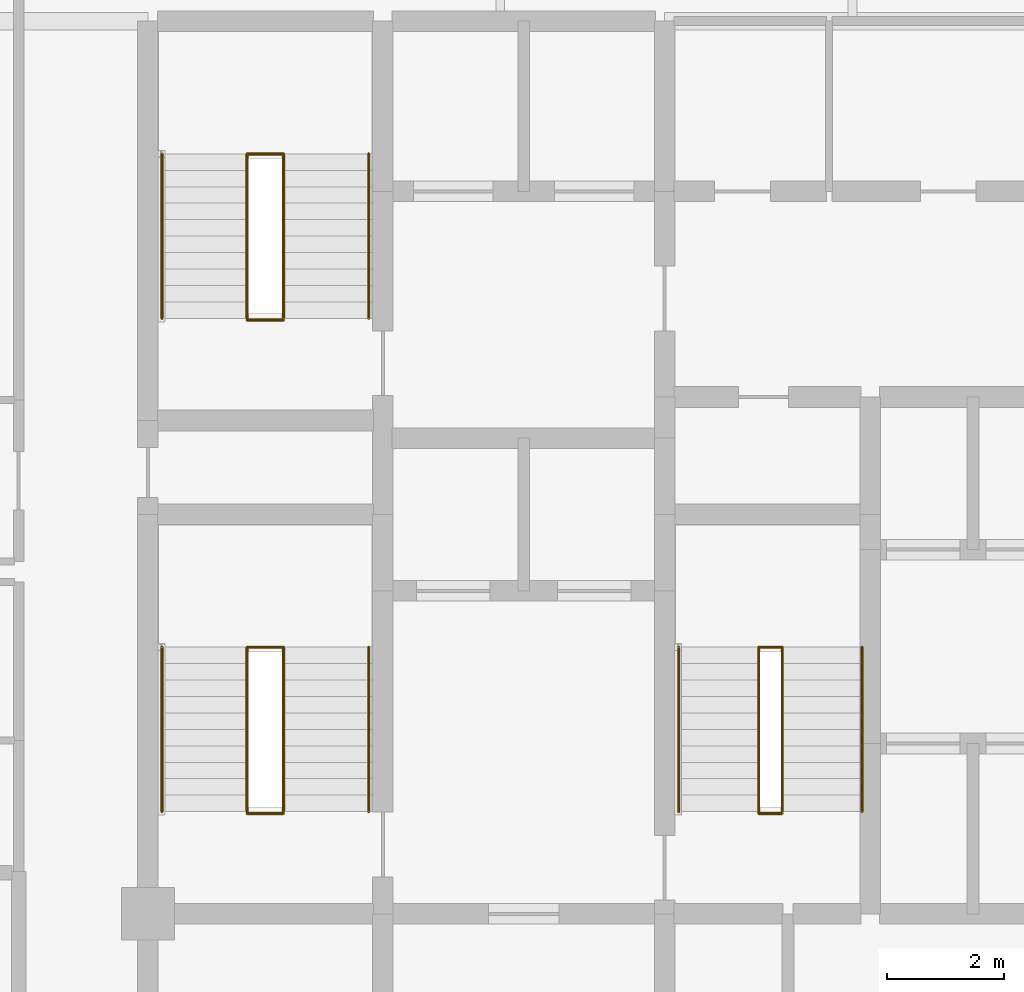
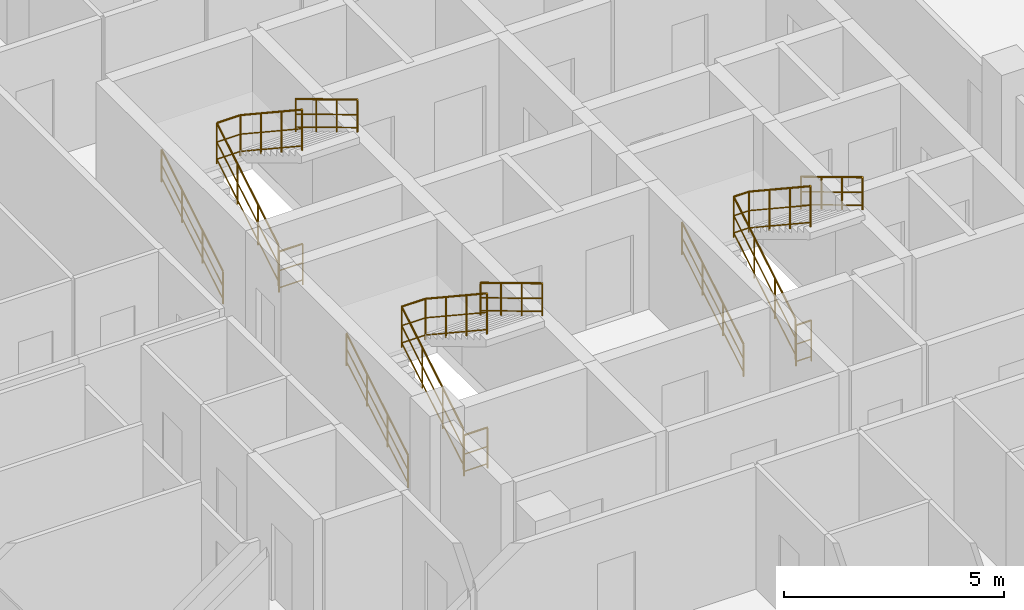
# One storey, part 29 of 29: 12 railings.
"""IFC4 building model written with IfcOpenShell, lengths in metres."""

import ifcopenshell
import ifcopenshell.guid

model = None  # the IFC model being written
_history = None  # IfcOwnerHistory: only IFC2X3 demands one
_inside = {}  # id of a spatial element -> (the spatial element, [elements in it])
_under = {}  # id of a project, library or spatial element -> (it, [spatial elements below it])
_declared = {}  # id of a project -> (the project, [libraries it declares])
_typed = {}  # id of a type object -> (the type object, [elements of that type])
_made_of = {}  # id of a material, layer set ... -> (it, [elements and type objects made of it])


def new_model(schema):
    """Start an empty IFC model of exactly this schema.

    Asked for "IFC4X3", IfcOpenShell would pick the latest addendum, in which some entities
    have other attributes; the version numbers below select the first issue.
    IFC2X3 requires an IfcOwnerHistory on every rooted entity: one is made here for all.
    """
    global model, _history
    if schema == "IFC4X3":
        model = ifcopenshell.file(schema_version=(4, 3, 0, 0))
    else:
        model = ifcopenshell.file(schema=schema)
    _inside.clear()
    _under.clear()
    _declared.clear()
    _typed.clear()
    _made_of.clear()
    _history = None
    if model.schema == "IFC2X3":
        org = make("IfcOrganization", Name="unknown")
        user = make(
            "IfcPersonAndOrganization",
            ThePerson=make("IfcPerson", FamilyName="unknown"),
            TheOrganization=org,
        )
        app = make(
            "IfcApplication",
            ApplicationDeveloper=org,
            Version="unknown",
            ApplicationFullName="unknown",
            ApplicationIdentifier="unknown",
        )
        _history = make(
            "IfcOwnerHistory",
            OwningUser=user,
            OwningApplication=app,
            ChangeAction="ADDED",
            CreationDate=0,
        )
    return model


def make(cls, **values):
    """One entity of the class cls with the attributes given. An attribute that is None is left unset."""
    return model.create_entity(
        cls, **{name: value for name, value in values.items() if value is not None}
    )


def rooted(cls, **values):
    """An entity with a GlobalId (a new one), such as an element, a storey or a relation."""
    return make(cls, GlobalId=ifcopenshell.guid.new(), OwnerHistory=_history, **values)


def si_unit(unit_type, name, prefix=None):
    """IfcSIUnit, for example si_unit("LENGTHUNIT", "METRE", prefix="MILLI")."""
    return make("IfcSIUnit", UnitType=unit_type, Prefix=prefix, Name=name)


def assignment(units):
    """IfcUnitAssignment: the units of a project."""
    return None if units is None else make("IfcUnitAssignment", Units=units)


def point(xyz):
    """IfcCartesianPoint."""
    return None if xyz is None else make("IfcCartesianPoint", Coordinates=xyz)


def direction(xyz):
    """IfcDirection."""
    return None if xyz is None else make("IfcDirection", DirectionRatios=xyz)


def frame(location, z_axis=None, x_axis=None):
    """IfcAxis2Placement3D, a coordinate frame: its origin and axes. An axis left out is left unset."""
    return make(
        "IfcAxis2Placement3D",
        Location=point(location),
        Axis=direction(z_axis),
        RefDirection=direction(x_axis),
    )


def frame_2d(location, x_axis=None):
    """IfcAxis2Placement2D, a coordinate frame in the plane: its origin and x axis."""
    return make(
        "IfcAxis2Placement2D", Location=point(location), RefDirection=direction(x_axis)
    )


def origin():
    """The frame at (0, 0, 0) with its axes left unset."""
    return frame((0.0, 0.0, 0.0))


def origin_2d():
    """The frame at (0, 0) in the plane with its x axis left unset."""
    return frame_2d((0.0, 0.0))


def place(relative_to, where):
    """IfcLocalPlacement: puts the frame where relative to a parent placement (None: the world)."""
    return make(
        "IfcLocalPlacement", PlacementRelTo=relative_to, RelativePlacement=where
    )


def context(
    kind, dimensions, precision=None, world=None, true_north=None, identifier=None
):
    """IfcGeometricRepresentationContext, for example the 3D "Model" context."""
    return make(
        "IfcGeometricRepresentationContext",
        ContextIdentifier=identifier,
        ContextType=kind,
        CoordinateSpaceDimension=dimensions,
        Precision=precision,
        WorldCoordinateSystem=world,
        TrueNorth=true_north,
    )


def subcontext(parent, identifier, kind, view, scale=None):
    """IfcGeometricRepresentationSubContext, for example "Body" below "Model"."""
    return make(
        "IfcGeometricRepresentationSubContext",
        ContextIdentifier=identifier,
        ContextType=kind,
        ParentContext=parent,
        TargetScale=scale,
        TargetView=view,
    )


def project(units=None, contexts=None):
    """IfcProject with its units and contexts."""
    return rooted(
        "IfcProject",
        Name="project",
        RepresentationContexts=contexts,
        UnitsInContext=assignment(units),
    )


def spatial(cls, under=None, at=None, **own):
    """A site, building, storey or space (cls), placed at a placement, below another one or the project."""
    s = rooted(cls, ObjectPlacement=at, **own)
    if under is not None:
        _under.setdefault(under.id(), (under, []))[1].append(s)
    return s


def profile(cls, at=None, kind="AREA", **sizes):
    """A parametric profile (cls). Its sizes go by their IFC names, for example OverallWidth=200.0."""
    return make(cls, ProfileType=kind, Position=at, **sizes)


def circle(**sizes):
    """IfcCircleProfileDef."""
    return profile("IfcCircleProfileDef", **sizes)


def extrude(swept, where, along, depth):
    """IfcExtrudedAreaSolid: the profile swept, set in the frame where, extruded along a direction by depth."""
    return make(
        "IfcExtrudedAreaSolid",
        SweptArea=swept,
        Position=where,
        ExtrudedDirection=direction(along),
        Depth=depth,
    )


def shape(context_of_items, identifier, shape_type, items):
    """IfcShapeRepresentation: the items that make up one representation, for example the "Body"."""
    return make(
        "IfcShapeRepresentation",
        ContextOfItems=context_of_items,
        RepresentationIdentifier=identifier,
        RepresentationType=shape_type,
        Items=items,
    )


def material(Name=None, Category=None):
    """IfcMaterial."""
    return make("IfcMaterial", Name=Name, Category=Category)


def layer(
    of_material, thickness, ventilated=None, Name=None, Category=None, Priority=None
):
    """IfcMaterialLayer: one layer of a wall or slab, of a material (None: an air gap)."""
    return make(
        "IfcMaterialLayer",
        Material=of_material,
        LayerThickness=thickness,
        IsVentilated=ventilated,
        Name=Name,
        Category=Category,
        Priority=Priority,
    )


def layer_set(layers, Name=None):
    """IfcMaterialLayerSet."""
    return make("IfcMaterialLayerSet", MaterialLayers=layers, LayerSetName=Name)


def made_of(thing, what):
    """Note that an element or type object is made of a material, layer set ...; save() writes the relation."""
    if what is not None:
        _made_of.setdefault(what.id(), (what, []))[1].append(thing)
    return thing


def type_object(cls, material=None, **own):
    """A type object (cls), such as IfcWallType, which elements share."""
    return made_of(rooted(cls, **own), material)


def element(
    cls,
    number,
    at=None,
    inside=None,
    cuts=None,
    type_object=None,
    material=None,
    context=None,
    identifier="Body",
    shape_type=None,
    held_by="IfcProductDefinitionShape",
    body=None,
    shapes=None,
    **own,
):
    """One element of the class cls, such as IfcWall. Its Tag is "e" and its number.

    at: its placement. inside: the storey or other place that contains it. cuts: it is an
    opening in that element (IfcRelVoidsElement). A single representation is given by context,
    identifier, shape_type and body (its items); several are given by shapes. held_by: the class
    of the entity that holds the representations. save() writes the other relations.
    """
    e = rooted(cls, Tag="e%d" % number, ObjectPlacement=at, **own)
    if body is not None:
        shapes = [shape(context, identifier, shape_type, body)]
    if shapes is not None:
        e.Representation = make(held_by, Representations=shapes)
    if inside is not None:
        _inside.setdefault(inside.id(), (inside, []))[1].append(e)
    if cuts is not None:
        rooted(
            "IfcRelVoidsElement", RelatingBuildingElement=cuts, RelatedOpeningElement=e
        )
    if type_object is not None:
        _typed.setdefault(type_object.id(), (type_object, []))[1].append(e)
    return made_of(e, material)


def aggregate(whole, parts):
    """IfcRelAggregates: a whole, such as a stair, and the parts it consists of."""
    return rooted("IfcRelAggregates", RelatingObject=whole, RelatedObjects=parts)


def save(model, path):
    """Write the relations noted so far, then the file.

    IfcRelAggregates (storeys below a building ...), IfcRelContainedInSpatialStructure (elements
    in a storey), IfcRelDefinesByType, IfcRelAssociatesMaterial and IfcRelDeclares: one each for
    every whole, place, type object, material and project.
    """
    for whole, parts in _under.values():
        aggregate(whole, parts)
    for where, things in _inside.values():
        rooted(
            "IfcRelContainedInSpatialStructure",
            RelatedElements=things,
            RelatingStructure=where,
        )
    for kind, things in _typed.values():
        rooted("IfcRelDefinesByType", RelatedObjects=things, RelatingType=kind)
    for what, things in _made_of.values():
        rooted("IfcRelAssociatesMaterial", RelatedObjects=things, RelatingMaterial=what)
    for by, libraries in _declared.values():
        rooted("IfcRelDeclares", RelatingContext=by, RelatedDefinitions=libraries)
    model.write(path)


model = new_model("IFC4")

# Units and contexts
model_context = context("Model", 3, precision=1e-05, world=origin(), true_north=direction((0.0, 1.0)))
body_context = subcontext(model_context, "Body", "Model", "MODEL_VIEW")
ifc_project = project(units=[si_unit("LENGTHUNIT", "METRE"), si_unit("AREAUNIT", "SQUARE_METRE"), si_unit("VOLUMEUNIT", "CUBIC_METRE"), si_unit("PLANEANGLEUNIT", "RADIAN"), si_unit("MASSUNIT", "GRAM", prefix="KILO")], contexts=[model_context])

# Site, building, storey
site_placement = place(None, origin())
site = spatial("IfcSite", under=ifc_project, at=site_placement, CompositionType="ELEMENT")
building_placement = place(site_placement, origin())
building = spatial("IfcBuilding", under=site, at=building_placement, Name="Keshet Zoharim Tower", CompositionType="ELEMENT")
storey_placement = place(building_placement, frame((0.0, 0.0, 176.5)))
storey = spatial("IfcBuildingStorey", under=building, at=storey_placement, Name="L43", CompositionType="ELEMENT", Elevation=176.5)

# Railings
ifc_material = material(Name="Steel S355", Category="steel")
ifc_layer_1 = layer(ifc_material, 0.050048828125)
ifc_layer_set_1 = layer_set([ifc_layer_1], Name="Steel S355")
railing_type_1 = type_object("IfcRailingType", Name="RL-HND-092", PredefinedType="HANDRAIL", material=ifc_layer_set_1)
railing_1_placement = place(storey_placement, frame((15.239990234375, 24.43994140625, 0.168212890625)))
element("IfcRailing", 1, at=railing_1_placement, inside=storey, type_object=railing_type_1, Name="L43 ST-01 Flight 1 Wall Handrail", PredefinedType="HANDRAIL", context=body_context, shape_type="SweptSolid", body=[
    extrude(circle(Radius=0.02392578125, at=origin_2d()), frame((0.0, 0.0, 0.89599609375), z_axis=(0.0, 0.857242210791, 0.514913383045), x_axis=(-1.0, 0.0, 0.0)), (0.0, 0.0, 1.0), 3.266357421875),
    extrude(circle(Radius=0.01611328125, at=origin_2d()), frame((0.0, 0.0, 0.478271484375), z_axis=(0.0, 0.857242210791, 0.514913383045), x_axis=(-1.0, 0.0, 0.0)), (0.0, 0.0, 1.0), 3.266357421875),
    extrude(circle(Radius=0.01611328125, at=origin_2d()), frame((0.0, 0.0, 0.1201171875), z_axis=(0.0, 0.857242210791, 0.514913383045), x_axis=(-1.0, 0.0, 0.0)), (0.0, 0.0, 1.0), 3.266357421875),
    extrude(circle(Radius=0.02099609375, at=origin_2d()), origin(), (0.0, 0.0, 1.0), 0.871826171875),
    extrude(circle(Radius=0.02099609375, at=origin_2d()), frame((0.0, 0.933349609375, 0.560546875)), (0.0, 0.0, 1.0), 0.871826171875),
    extrude(circle(Radius=0.02099609375, at=origin_2d()), frame((0.0, 1.86669921875, 1.121337890625)), (0.0, 0.0, 1.0), 0.871826171875),
    extrude(circle(Radius=0.02099609375, at=origin_2d()), frame((0.0, 2.800048828125, 1.681884765625)), (0.0, 0.0, 1.0), 0.871826171875),
])
railing_2_placement = place(storey_placement, frame((18.760009765625, 27.239990234375, 2.018310546875)))
element("IfcRailing", 2, at=railing_2_placement, inside=storey, type_object=railing_type_1, Name="L43 ST-01 Flight 2 Wall Handrail", PredefinedType="HANDRAIL", context=body_context, shape_type="SweptSolid", body=[
    extrude(circle(Radius=0.02392578125, at=origin_2d()), frame((0.0, 0.0, 0.89599609375), z_axis=(0.0, -0.857275202839, 0.514858452973), x_axis=(1.0, 0.0, 0.0)), (0.0, 0.0, 1.0), 3.26611328125),
    extrude(circle(Radius=0.01611328125, at=origin_2d()), frame((0.0, 0.0, 0.478271484375), z_axis=(0.0, -0.857275202839, 0.514858452973), x_axis=(1.0, 0.0, 0.0)), (0.0, 0.0, 1.0), 3.26611328125),
    extrude(circle(Radius=0.01611328125, at=origin_2d()), frame((0.0, 0.0, 0.1201171875), z_axis=(0.0, -0.857275202839, 0.514858452973), x_axis=(1.0, 0.0, 0.0)), (0.0, 0.0, 1.0), 3.26611328125),
    extrude(circle(Radius=0.02099609375, at=origin_2d()), origin(), (0.0, 0.0, 1.0), 0.871826171875),
    extrude(circle(Radius=0.02099609375, at=origin_2d()), frame((0.0, -0.933349609375, 0.560546875)), (0.0, 0.0, 1.0), 0.871826171875),
    extrude(circle(Radius=0.02099609375, at=origin_2d()), frame((0.0, -1.86669921875, 1.12109375)), (0.0, 0.0, 1.0), 0.871826171875),
    extrude(circle(Radius=0.02099609375, at=origin_2d()), frame((0.0, -2.800048828125, 1.681640625)), (0.0, 0.0, 1.0), 0.871826171875),
])
railing_3_placement = place(storey_placement, frame((15.239990234375, 32.840087890625, 0.168212890625)))
element("IfcRailing", 3, at=railing_3_placement, inside=storey, type_object=railing_type_1, Name="L43 ST-02 Flight 1 Wall Handrail", PredefinedType="HANDRAIL", context=body_context, shape_type="SweptSolid", body=[
    extrude(circle(Radius=0.02392578125, at=origin_2d()), frame((0.0, 0.0, 0.89599609375), z_axis=(0.0, 0.857222391501, 0.514946377315), x_axis=(-1.0, 0.0, 0.0)), (0.0, 0.0, 1.0), 3.26611328125),
    extrude(circle(Radius=0.01611328125, at=origin_2d()), frame((0.0, 0.0, 0.478271484375), z_axis=(0.0, 0.857222391501, 0.514946377315), x_axis=(-1.0, 0.0, 0.0)), (0.0, 0.0, 1.0), 3.26611328125),
    extrude(circle(Radius=0.01611328125, at=origin_2d()), frame((0.0, 0.0, 0.1201171875), z_axis=(0.0, 0.857222391501, 0.514946377315), x_axis=(-1.0, 0.0, 0.0)), (0.0, 0.0, 1.0), 3.26611328125),
    extrude(circle(Radius=0.02099609375, at=origin_2d()), origin(), (0.0, 0.0, 1.0), 0.871826171875),
    extrude(circle(Radius=0.02099609375, at=origin_2d()), frame((0.0, 0.933349609375, 0.560546875)), (0.0, 0.0, 1.0), 0.871826171875),
    extrude(circle(Radius=0.02099609375, at=origin_2d()), frame((0.0, 1.866455078125, 1.121337890625)), (0.0, 0.0, 1.0), 0.871826171875),
    extrude(circle(Radius=0.02099609375, at=origin_2d()), frame((0.0, 2.7998046875, 1.681884765625)), (0.0, 0.0, 1.0), 0.871826171875),
])
railing_4_placement = place(storey_placement, frame((18.760009765625, 35.639892578125, 2.018310546875)))
element("IfcRailing", 4, at=railing_4_placement, inside=storey, type_object=railing_type_1, Name="L43 ST-02 Flight 2 Wall Handrail", PredefinedType="HANDRAIL", context=body_context, shape_type="SweptSolid", body=[
    extrude(circle(Radius=0.02392578125, at=origin_2d()), frame((0.0, 0.0, 0.89599609375), z_axis=(0.0, -0.857255387014, 0.514891446264), x_axis=(1.0, 0.0, 0.0)), (0.0, 0.0, 1.0), 3.26611328125),
    extrude(circle(Radius=0.01611328125, at=origin_2d()), frame((0.0, 0.0, 0.478271484375), z_axis=(0.0, -0.857255387014, 0.514891446264), x_axis=(1.0, 0.0, 0.0)), (0.0, 0.0, 1.0), 3.26611328125),
    extrude(circle(Radius=0.01611328125, at=origin_2d()), frame((0.0, 0.0, 0.1201171875), z_axis=(0.0, -0.857255387014, 0.514891446264), x_axis=(1.0, 0.0, 0.0)), (0.0, 0.0, 1.0), 3.26611328125),
    extrude(circle(Radius=0.02099609375, at=origin_2d()), origin(), (0.0, 0.0, 1.0), 0.871826171875),
    extrude(circle(Radius=0.02099609375, at=origin_2d()), frame((0.0, -0.933349609375, 0.560546875)), (0.0, 0.0, 1.0), 0.871826171875),
    extrude(circle(Radius=0.02099609375, at=origin_2d()), frame((0.0, -1.866455078125, 1.12109375)), (0.0, 0.0, 1.0), 0.871826171875),
    extrude(circle(Radius=0.02099609375, at=origin_2d()), frame((0.0, -2.7998046875, 1.681640625)), (0.0, 0.0, 1.0), 0.871826171875),
])
railing_5_placement = place(storey_placement, frame((24.0400390625, 24.43994140625, 0.168212890625)))
element("IfcRailing", 5, at=railing_5_placement, inside=storey, type_object=railing_type_1, Name="L43 ST-03 Flight 1 Wall Handrail", PredefinedType="HANDRAIL", context=body_context, shape_type="SweptSolid", body=[
    extrude(circle(Radius=0.02392578125, at=origin_2d()), frame((0.0, 0.0, 0.89599609375), z_axis=(0.0, 0.857242210791, 0.514913383045), x_axis=(-1.0, 0.0, 0.0)), (0.0, 0.0, 1.0), 3.266357421875),
    extrude(circle(Radius=0.01611328125, at=origin_2d()), frame((0.0, 0.0, 0.478271484375), z_axis=(0.0, 0.857242210791, 0.514913383045), x_axis=(-1.0, 0.0, 0.0)), (0.0, 0.0, 1.0), 3.266357421875),
    extrude(circle(Radius=0.01611328125, at=origin_2d()), frame((0.0, 0.0, 0.1201171875), z_axis=(0.0, 0.857242210791, 0.514913383045), x_axis=(-1.0, 0.0, 0.0)), (0.0, 0.0, 1.0), 3.266357421875),
    extrude(circle(Radius=0.02099609375, at=origin_2d()), origin(), (0.0, 0.0, 1.0), 0.871826171875),
    extrude(circle(Radius=0.02099609375, at=origin_2d()), frame((0.0, 0.933349609375, 0.560546875)), (0.0, 0.0, 1.0), 0.871826171875),
    extrude(circle(Radius=0.02099609375, at=origin_2d()), frame((0.0, 1.86669921875, 1.121337890625)), (0.0, 0.0, 1.0), 0.871826171875),
    extrude(circle(Radius=0.02099609375, at=origin_2d()), frame((0.0, 2.800048828125, 1.681884765625)), (0.0, 0.0, 1.0), 0.871826171875),
])
railing_6_placement = place(storey_placement, frame((27.159912109375, 27.239990234375, 2.018310546875)))
element("IfcRailing", 6, at=railing_6_placement, inside=storey, type_object=railing_type_1, Name="L43 ST-03 Flight 2 Wall Handrail", PredefinedType="HANDRAIL", context=body_context, shape_type="SweptSolid", body=[
    extrude(circle(Radius=0.02392578125, at=origin_2d()), frame((0.0, 0.0, 0.89599609375), z_axis=(0.0, -0.857275202839, 0.514858452973), x_axis=(1.0, 0.0, 0.0)), (0.0, 0.0, 1.0), 3.26611328125),
    extrude(circle(Radius=0.01611328125, at=origin_2d()), frame((0.0, 0.0, 0.478271484375), z_axis=(0.0, -0.857275202839, 0.514858452973), x_axis=(1.0, 0.0, 0.0)), (0.0, 0.0, 1.0), 3.26611328125),
    extrude(circle(Radius=0.01611328125, at=origin_2d()), frame((0.0, 0.0, 0.1201171875), z_axis=(0.0, -0.857275202839, 0.514858452973), x_axis=(1.0, 0.0, 0.0)), (0.0, 0.0, 1.0), 3.26611328125),
    extrude(circle(Radius=0.02099609375, at=origin_2d()), origin(), (0.0, 0.0, 1.0), 0.871826171875),
    extrude(circle(Radius=0.02099609375, at=origin_2d()), frame((0.0, -0.933349609375, 0.560546875)), (0.0, 0.0, 1.0), 0.871826171875),
    extrude(circle(Radius=0.02099609375, at=origin_2d()), frame((0.0, -1.86669921875, 1.12109375)), (0.0, 0.0, 1.0), 0.871826171875),
    extrude(circle(Radius=0.02099609375, at=origin_2d()), frame((0.0, -2.800048828125, 1.681640625)), (0.0, 0.0, 1.0), 0.871826171875),
])
ifc_layer_2 = layer(ifc_material, 0.06005859375)
ifc_layer_set_2 = layer_set([ifc_layer_2], Name="Steel S355")
railing_type_2 = type_object("IfcRailingType", Name="RL-STG-115", PredefinedType="GUARDRAIL", material=ifc_layer_set_2)
railing_7_placement = place(storey_placement, frame((16.68994140625, 24.43994140625, 0.168212890625)))
element("IfcRailing", 7, at=railing_7_placement, inside=storey, type_object=railing_type_2, Name="L43 ST-01 Inner Well Guardrail", PredefinedType="GUARDRAIL", context=body_context, shape_type="SweptSolid", body=[
    extrude(circle(Radius=0.02392578125, at=origin_2d()), frame((0.0, 0.0, 1.1259765625), z_axis=(0.0, 0.857242210791, 0.514913383045), x_axis=(-1.0, 0.0, 0.0)), (0.0, 0.0, 1.0), 3.266357421875),
    extrude(circle(Radius=0.01611328125, at=origin_2d()), frame((0.0, 0.0, 0.597900390625), z_axis=(0.0, 0.857242210791, 0.514913383045), x_axis=(-1.0, 0.0, 0.0)), (0.0, 0.0, 1.0), 3.266357421875),
    extrude(circle(Radius=0.01611328125, at=origin_2d()), frame((0.0, 0.0, 0.1201171875), z_axis=(0.0, 0.857242210791, 0.514913383045), x_axis=(-1.0, 0.0, 0.0)), (0.0, 0.0, 1.0), 3.266357421875),
    extrude(circle(Radius=0.02392578125, at=origin_2d()), frame((0.0, 2.800048828125, 2.8076171875), z_axis=(1.0, 0.0, 0.0), x_axis=(0.0, 1.0, 0.0)), (0.0, 0.0, 1.0), 0.6201171875),
    extrude(circle(Radius=0.01611328125, at=origin_2d()), frame((0.0, 2.800048828125, 2.27978515625), z_axis=(1.0, 0.0, 0.0), x_axis=(0.0, 1.0, 0.0)), (0.0, 0.0, 1.0), 0.6201171875),
    extrude(circle(Radius=0.01611328125, at=origin_2d()), frame((0.0, 2.800048828125, 1.802001953125), z_axis=(1.0, 0.0, 0.0), x_axis=(0.0, 1.0, 0.0)), (0.0, 0.0, 1.0), 0.6201171875),
    extrude(circle(Radius=0.02392578125, at=origin_2d()), frame((0.6201171875, 2.800048828125, 2.8076171875), z_axis=(0.0, -0.83435981716, 0.551220187865), x_axis=(1.0, 0.0, 0.0)), (0.0, 0.0, 1.0), 3.35595703125),
    extrude(circle(Radius=0.01611328125, at=origin_2d()), frame((0.6201171875, 2.800048828125, 2.27978515625), z_axis=(0.0, -0.83435981716, 0.551220187865), x_axis=(1.0, 0.0, 0.0)), (0.0, 0.0, 1.0), 3.35595703125),
    extrude(circle(Radius=0.01611328125, at=origin_2d()), frame((0.6201171875, 2.800048828125, 1.802001953125), z_axis=(0.0, -0.83435981716, 0.551220187865), x_axis=(1.0, 0.0, 0.0)), (0.0, 0.0, 1.0), 3.35595703125),
    extrude(circle(Radius=0.02099609375, at=origin_2d()), origin(), (0.0, 0.0, 1.0), 1.101806640625),
    extrude(circle(Radius=0.02099609375, at=origin_2d()), frame((0.0, 0.933349609375, 0.560546875)), (0.0, 0.0, 1.0), 1.101806640625),
    extrude(circle(Radius=0.02099609375, at=origin_2d()), frame((0.0, 1.86669921875, 1.121337890625)), (0.0, 0.0, 1.0), 1.101806640625),
    extrude(circle(Radius=0.02099609375, at=origin_2d()), frame((0.0, 2.800048828125, 1.681884765625)), (0.0, 0.0, 1.0), 1.101806640625),
    extrude(circle(Radius=0.02099609375, at=origin_2d()), frame((0.6201171875, 2.800048828125, 1.681884765625)), (0.0, 0.0, 1.0), 1.101806640625),
    extrude(circle(Radius=0.02099609375, at=origin_2d()), frame((0.6201171875, 1.86669921875, 2.298583984375)), (0.0, 0.0, 1.0), 1.101806640625),
    extrude(circle(Radius=0.02099609375, at=origin_2d()), frame((0.6201171875, 0.933349609375, 2.9150390625)), (0.0, 0.0, 1.0), 1.101806640625),
    extrude(circle(Radius=0.02099609375, at=origin_2d()), frame((0.6201171875, 0.0, 3.53173828125)), (0.0, 0.0, 1.0), 1.101806640625),
])
railing_8_placement = place(storey_placement, frame((16.68994140625, 24.409912109375, 0.0)))
element("IfcRailing", 8, at=railing_8_placement, inside=storey, type_object=railing_type_2, Name="L43 ST-01 Stairwell Floor Guardrail", PredefinedType="GUARDRAIL", context=body_context, shape_type="SweptSolid", body=[
    extrude(circle(Radius=0.02392578125, at=origin_2d()), frame((0.0, 0.0, 1.1259765625), z_axis=(1.0, 0.0, 0.0), x_axis=(0.0, 1.0, 0.0)), (0.0, 0.0, 1.0), 0.6201171875),
    extrude(circle(Radius=0.01611328125, at=origin_2d()), frame((0.0, 0.0, 0.597900390625), z_axis=(1.0, 0.0, 0.0), x_axis=(0.0, 1.0, 0.0)), (0.0, 0.0, 1.0), 0.6201171875),
    extrude(circle(Radius=0.01611328125, at=origin_2d()), frame((0.0, 0.0, 0.1201171875), z_axis=(1.0, 0.0, 0.0), x_axis=(0.0, 1.0, 0.0)), (0.0, 0.0, 1.0), 0.6201171875),
    extrude(circle(Radius=0.02099609375, at=origin_2d()), origin(), (0.0, 0.0, 1.0), 1.101806640625),
    extrude(circle(Radius=0.02099609375, at=origin_2d()), frame((0.6201171875, 0.0, 0.0)), (0.0, 0.0, 1.0), 1.101806640625),
])
railing_9_placement = place(storey_placement, frame((16.68994140625, 32.840087890625, 0.168212890625)))
element("IfcRailing", 9, at=railing_9_placement, inside=storey, type_object=railing_type_2, Name="L43 ST-02 Inner Well Guardrail", PredefinedType="GUARDRAIL", context=body_context, shape_type="SweptSolid", body=[
    extrude(circle(Radius=0.02392578125, at=origin_2d()), frame((0.0, 0.0, 1.1259765625), z_axis=(0.0, 0.857222391501, 0.514946377315), x_axis=(-1.0, 0.0, 0.0)), (0.0, 0.0, 1.0), 3.26611328125),
    extrude(circle(Radius=0.01611328125, at=origin_2d()), frame((0.0, 0.0, 0.597900390625), z_axis=(0.0, 0.857222391501, 0.514946377315), x_axis=(-1.0, 0.0, 0.0)), (0.0, 0.0, 1.0), 3.26611328125),
    extrude(circle(Radius=0.01611328125, at=origin_2d()), frame((0.0, 0.0, 0.1201171875), z_axis=(0.0, 0.857222391501, 0.514946377315), x_axis=(-1.0, 0.0, 0.0)), (0.0, 0.0, 1.0), 3.26611328125),
    extrude(circle(Radius=0.02392578125, at=origin_2d()), frame((0.0, 2.7998046875, 2.8076171875), z_axis=(1.0, 0.0, 0.0), x_axis=(0.0, 1.0, 0.0)), (0.0, 0.0, 1.0), 0.6201171875),
    extrude(circle(Radius=0.01611328125, at=origin_2d()), frame((0.0, 2.7998046875, 2.27978515625), z_axis=(1.0, 0.0, 0.0), x_axis=(0.0, 1.0, 0.0)), (0.0, 0.0, 1.0), 0.6201171875),
    extrude(circle(Radius=0.01611328125, at=origin_2d()), frame((0.0, 2.7998046875, 1.802001953125), z_axis=(1.0, 0.0, 0.0), x_axis=(0.0, 1.0, 0.0)), (0.0, 0.0, 1.0), 0.6201171875),
    extrude(circle(Radius=0.02392578125, at=origin_2d()), frame((0.6201171875, 2.7998046875, 2.8076171875), z_axis=(0.0, -0.834337710781, 0.551253647941), x_axis=(1.0, 0.0, 0.0)), (0.0, 0.0, 1.0), 3.355712890625),
    extrude(circle(Radius=0.01611328125, at=origin_2d()), frame((0.6201171875, 2.7998046875, 2.27978515625), z_axis=(0.0, -0.834337710781, 0.551253647941), x_axis=(1.0, 0.0, 0.0)), (0.0, 0.0, 1.0), 3.355712890625),
    extrude(circle(Radius=0.01611328125, at=origin_2d()), frame((0.6201171875, 2.7998046875, 1.802001953125), z_axis=(0.0, -0.834337710781, 0.551253647941), x_axis=(1.0, 0.0, 0.0)), (0.0, 0.0, 1.0), 3.355712890625),
    extrude(circle(Radius=0.02099609375, at=origin_2d()), origin(), (0.0, 0.0, 1.0), 1.101806640625),
    extrude(circle(Radius=0.02099609375, at=origin_2d()), frame((0.0, 0.933349609375, 0.560546875)), (0.0, 0.0, 1.0), 1.101806640625),
    extrude(circle(Radius=0.02099609375, at=origin_2d()), frame((0.0, 1.866455078125, 1.121337890625)), (0.0, 0.0, 1.0), 1.101806640625),
    extrude(circle(Radius=0.02099609375, at=origin_2d()), frame((0.0, 2.7998046875, 1.681884765625)), (0.0, 0.0, 1.0), 1.101806640625),
    extrude(circle(Radius=0.02099609375, at=origin_2d()), frame((0.6201171875, 2.7998046875, 1.681884765625)), (0.0, 0.0, 1.0), 1.101806640625),
    extrude(circle(Radius=0.02099609375, at=origin_2d()), frame((0.6201171875, 1.866455078125, 2.298583984375)), (0.0, 0.0, 1.0), 1.101806640625),
    extrude(circle(Radius=0.02099609375, at=origin_2d()), frame((0.6201171875, 0.933349609375, 2.9150390625)), (0.0, 0.0, 1.0), 1.101806640625),
    extrude(circle(Radius=0.02099609375, at=origin_2d()), frame((0.6201171875, 0.0, 3.53173828125)), (0.0, 0.0, 1.0), 1.101806640625),
])
railing_10_placement = place(storey_placement, frame((16.68994140625, 32.81005859375, 0.0)))
element("IfcRailing", 10, at=railing_10_placement, inside=storey, type_object=railing_type_2, Name="L43 ST-02 Stairwell Floor Guardrail", PredefinedType="GUARDRAIL", context=body_context, shape_type="SweptSolid", body=[
    extrude(circle(Radius=0.02392578125, at=origin_2d()), frame((0.0, 0.0, 1.1259765625), z_axis=(1.0, 0.0, 0.0), x_axis=(0.0, 1.0, 0.0)), (0.0, 0.0, 1.0), 0.6201171875),
    extrude(circle(Radius=0.01611328125, at=origin_2d()), frame((0.0, 0.0, 0.597900390625), z_axis=(1.0, 0.0, 0.0), x_axis=(0.0, 1.0, 0.0)), (0.0, 0.0, 1.0), 0.6201171875),
    extrude(circle(Radius=0.01611328125, at=origin_2d()), frame((0.0, 0.0, 0.1201171875), z_axis=(1.0, 0.0, 0.0), x_axis=(0.0, 1.0, 0.0)), (0.0, 0.0, 1.0), 0.6201171875),
    extrude(circle(Radius=0.02099609375, at=origin_2d()), origin(), (0.0, 0.0, 1.0), 1.101806640625),
    extrude(circle(Radius=0.02099609375, at=origin_2d()), frame((0.6201171875, 0.0, 0.0)), (0.0, 0.0, 1.0), 1.101806640625),
])
railing_11_placement = place(storey_placement, frame((25.39990234375, 24.43994140625, 0.168212890625)))
element("IfcRailing", 11, at=railing_11_placement, inside=storey, type_object=railing_type_2, Name="L43 ST-03 Inner Well Guardrail", PredefinedType="GUARDRAIL", context=body_context, shape_type="SweptSolid", body=[
    extrude(circle(Radius=0.02392578125, at=origin_2d()), frame((0.0, 0.0, 1.1259765625), z_axis=(0.0, 0.857242210791, 0.514913383045), x_axis=(-1.0, 0.0, 0.0)), (0.0, 0.0, 1.0), 3.266357421875),
    extrude(circle(Radius=0.01611328125, at=origin_2d()), frame((0.0, 0.0, 0.597900390625), z_axis=(0.0, 0.857242210791, 0.514913383045), x_axis=(-1.0, 0.0, 0.0)), (0.0, 0.0, 1.0), 3.266357421875),
    extrude(circle(Radius=0.01611328125, at=origin_2d()), frame((0.0, 0.0, 0.1201171875), z_axis=(0.0, 0.857242210791, 0.514913383045), x_axis=(-1.0, 0.0, 0.0)), (0.0, 0.0, 1.0), 3.266357421875),
    extrude(circle(Radius=0.02392578125, at=origin_2d()), frame((0.0, 2.800048828125, 2.8076171875), z_axis=(1.0, 0.0, 0.0), x_axis=(0.0, 1.0, 0.0)), (0.0, 0.0, 1.0), 0.400146484375),
    extrude(circle(Radius=0.01611328125, at=origin_2d()), frame((0.0, 2.800048828125, 2.27978515625), z_axis=(1.0, 0.0, 0.0), x_axis=(0.0, 1.0, 0.0)), (0.0, 0.0, 1.0), 0.400146484375),
    extrude(circle(Radius=0.01611328125, at=origin_2d()), frame((0.0, 2.800048828125, 1.802001953125), z_axis=(1.0, 0.0, 0.0), x_axis=(0.0, 1.0, 0.0)), (0.0, 0.0, 1.0), 0.400146484375),
    extrude(circle(Radius=0.02392578125, at=origin_2d()), frame((0.400146484375, 2.800048828125, 2.8076171875), z_axis=(0.0, -0.83435981716, 0.551220187865), x_axis=(1.0, 0.0, 0.0)), (0.0, 0.0, 1.0), 3.35595703125),
    extrude(circle(Radius=0.01611328125, at=origin_2d()), frame((0.400146484375, 2.800048828125, 2.27978515625), z_axis=(0.0, -0.83435981716, 0.551220187865), x_axis=(1.0, 0.0, 0.0)), (0.0, 0.0, 1.0), 3.35595703125),
    extrude(circle(Radius=0.01611328125, at=origin_2d()), frame((0.400146484375, 2.800048828125, 1.802001953125), z_axis=(0.0, -0.83435981716, 0.551220187865), x_axis=(1.0, 0.0, 0.0)), (0.0, 0.0, 1.0), 3.35595703125),
    extrude(circle(Radius=0.02099609375, at=origin_2d()), origin(), (0.0, 0.0, 1.0), 1.101806640625),
    extrude(circle(Radius=0.02099609375, at=origin_2d()), frame((0.0, 0.933349609375, 0.560546875)), (0.0, 0.0, 1.0), 1.101806640625),
    extrude(circle(Radius=0.02099609375, at=origin_2d()), frame((0.0, 1.86669921875, 1.121337890625)), (0.0, 0.0, 1.0), 1.101806640625),
    extrude(circle(Radius=0.02099609375, at=origin_2d()), frame((0.0, 2.800048828125, 1.681884765625)), (0.0, 0.0, 1.0), 1.101806640625),
    extrude(circle(Radius=0.02099609375, at=origin_2d()), frame((0.400146484375, 2.800048828125, 1.681884765625)), (0.0, 0.0, 1.0), 1.101806640625),
    extrude(circle(Radius=0.02099609375, at=origin_2d()), frame((0.400146484375, 1.86669921875, 2.298583984375)), (0.0, 0.0, 1.0), 1.101806640625),
    extrude(circle(Radius=0.02099609375, at=origin_2d()), frame((0.400146484375, 0.933349609375, 2.9150390625)), (0.0, 0.0, 1.0), 1.101806640625),
    extrude(circle(Radius=0.02099609375, at=origin_2d()), frame((0.400146484375, 0.0, 3.53173828125)), (0.0, 0.0, 1.0), 1.101806640625),
])
railing_12_placement = place(storey_placement, frame((25.39990234375, 24.409912109375, 0.0)))
element("IfcRailing", 12, at=railing_12_placement, inside=storey, type_object=railing_type_2, Name="L43 ST-03 Stairwell Floor Guardrail", PredefinedType="GUARDRAIL", context=body_context, shape_type="SweptSolid", body=[
    extrude(circle(Radius=0.02392578125, at=origin_2d()), frame((0.0, 0.0, 1.1259765625), z_axis=(1.0, 0.0, 0.0), x_axis=(0.0, 1.0, 0.0)), (0.0, 0.0, 1.0), 0.400146484375),
    extrude(circle(Radius=0.01611328125, at=origin_2d()), frame((0.0, 0.0, 0.597900390625), z_axis=(1.0, 0.0, 0.0), x_axis=(0.0, 1.0, 0.0)), (0.0, 0.0, 1.0), 0.400146484375),
    extrude(circle(Radius=0.01611328125, at=origin_2d()), frame((0.0, 0.0, 0.1201171875), z_axis=(1.0, 0.0, 0.0), x_axis=(0.0, 1.0, 0.0)), (0.0, 0.0, 1.0), 0.400146484375),
    extrude(circle(Radius=0.02099609375, at=origin_2d()), origin(), (0.0, 0.0, 1.0), 1.101806640625),
    extrude(circle(Radius=0.02099609375, at=origin_2d()), frame((0.400146484375, 0.0, 0.0)), (0.0, 0.0, 1.0), 1.101806640625),
])

save(model, "model.ifc")
